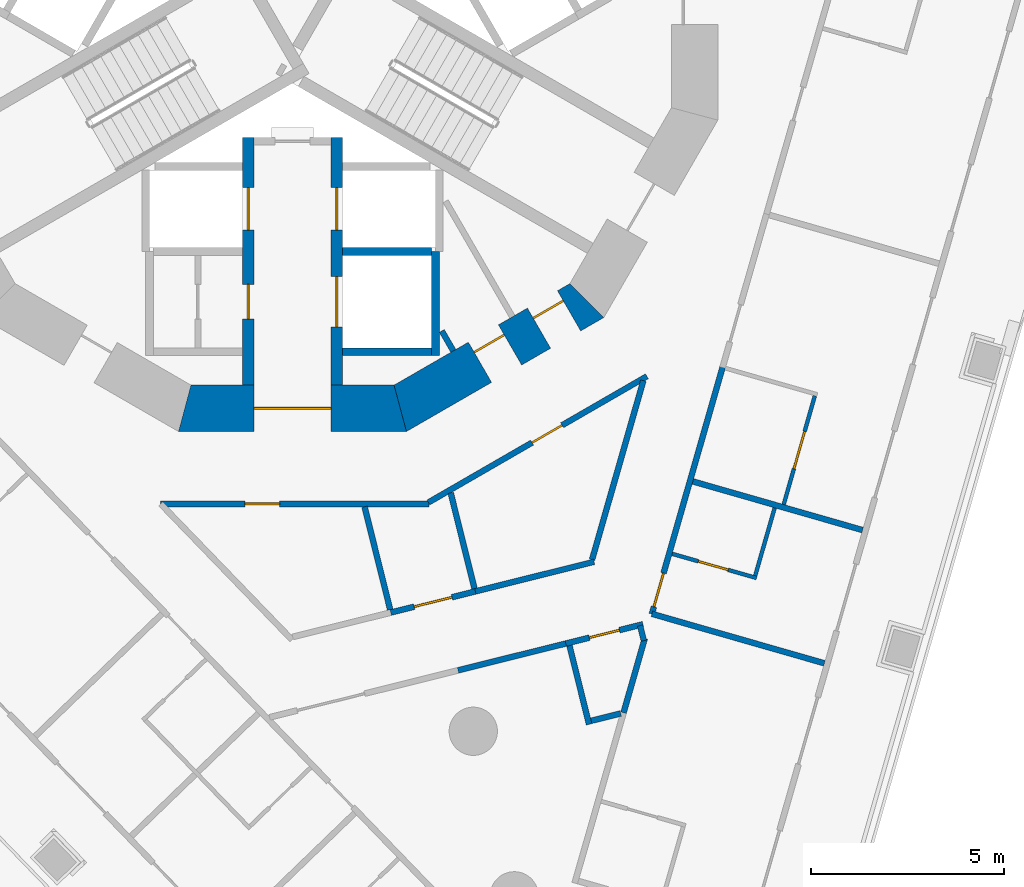
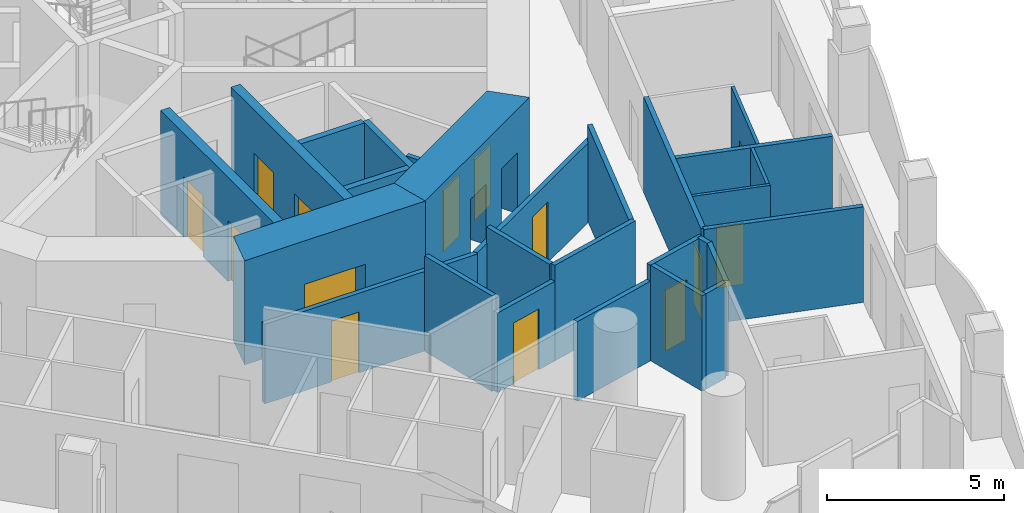
# One storey, part 4 of 19: 27 walls, 14 doors, 14 openings.
"""IFC4 building model written with IfcOpenShell, lengths in metres."""

from ifc_helpers import new_model, si_unit, direction, frame, frame_2d, origin, place, context, subcontext, project, spatial, polyline, rectangle, outline, extrude, material, layer, layer_set, type_object, element, fill, save


model = new_model("IFC4")

# Units and contexts
model_context = context("Model", 3, precision=1e-05, world=origin(), true_north=direction((0.0, 1.0)))
body_context = subcontext(model_context, "Body", "Model", "MODEL_VIEW")
ifc_project = project(units=[si_unit("LENGTHUNIT", "METRE"), si_unit("AREAUNIT", "SQUARE_METRE"), si_unit("VOLUMEUNIT", "CUBIC_METRE"), si_unit("PLANEANGLEUNIT", "RADIAN"), si_unit("MASSUNIT", "GRAM", prefix="KILO")], contexts=[model_context])

# Site, building, storey
site_placement = place(None, origin())
site = spatial("IfcSite", under=ifc_project, at=site_placement, CompositionType="ELEMENT")
building_placement = place(site_placement, origin())
building = spatial("IfcBuilding", under=site, at=building_placement, Name="Trine Commons Tower", CompositionType="ELEMENT")
storey_placement = place(building_placement, frame((0.0, 0.0, 87.300048828125)))
storey = spatial("IfcBuildingStorey", under=building, at=storey_placement, Name="L21", CompositionType="ELEMENT", Elevation=87.300048828125)

# Wall
ifc_material_1 = material(Name="Plasterboard partition on steel studs", Category="steel")
ifc_layer_1 = layer(ifc_material_1, 0.14990234375)
ifc_layer_set_1 = layer_set([ifc_layer_1], Name="Plasterboard partition on steel studs")
wall_type_1 = type_object("IfcWallType", Name="Core room partition 150 mm, EI 60", PredefinedType="PARTITIONING", material=ifc_layer_set_1)
wall_1_placement = place(storey_placement, frame((84.1640625, 53.574951171875, 0.0), z_axis=(0.0, 0.0, 1.0), x_axis=(-0.500665675203, 0.865640734759, 0.0)))
element("IfcWall", 1, at=wall_1_placement, inside=storey, type_object=wall_type_1, Name="Core room partition L21", PredefinedType="PARTITIONING", context=body_context, shape_type="SweptSolid", body=[
    extrude(rectangle(XDim=0.597412109375, YDim=0.14990234375, at=frame_2d((0.298828125, 0.0))), origin(), (0.0, 0.0, 1.0), 3.300048828125),
])

# Wall, opening, door
ifc_material_2 = material(Name="Concrete C70/85", Category="concrete")
ifc_layer_2 = layer(ifc_material_2, 1.199951171875)
ifc_layer_set_2 = layer_set([ifc_layer_2], Name="Concrete C70/85")
wall_type_2 = type_object("IfcWallType", Name="RC shear wall 1200 mm, C70/85", PredefinedType="SHEAR", material=ifc_layer_set_2)
wall_2_placement = place(storey_placement, frame((77.049560546875, 52.08837890625, 0.0), z_axis=(0.0, 0.0, 1.0), x_axis=(1.0, 0.0, 0.0)))
wall_2 = element("IfcWall", 2, at=wall_2_placement, inside=storey, type_object=wall_type_2, Name="Core wall CWC-10 L21", PredefinedType="SHEAR", context=body_context, shape_type="SweptSolid", body=[
    extrude(outline(polyline([(0.0, -0.60009765625), (5.90087890625, -0.60009765625), (5.57958984375, 0.60009765625), (0.321533203125, 0.60009765625), (0.0, -0.60009765625)])), origin(), (0.0, 0.0, 1.0), 3.599853515625),
])
opening_1_placement = place(wall_2_placement, frame((1.950439453125, 0.0, 0.0)))
opening_1 = element("IfcOpeningElement", 3, at=opening_1_placement, cuts=wall_2, Name="Opening K04.08", PredefinedType="OPENING", context=body_context, shape_type="SweptSolid", body=[
    extrude(rectangle(XDim=2.0, YDim=2.10009765625, at=frame_2d((1.0, 1.050048828125))), frame((0.0, 0.60986328125, 0.0), z_axis=(0.0, -1.0, 0.0), x_axis=(1.0, 0.0, 0.0)), (0.0, 0.0, 1.0), 1.219970703125),
])
ifc_material_3 = material(Name="Steel door leaves, fire-rated", Category="steel")
door_type_1 = type_object("IfcDoorType", Name="Lobby door, double leaf 2000 x 2100, FD60", OperationType="DOUBLE_DOOR_SINGLE_SWING", PredefinedType="DOOR", material=ifc_material_3)
door_1_placement = place(opening_1_placement, origin())
door_1 = element("IfcDoor", 4, at=door_1_placement, inside=storey, type_object=door_type_1, Name="Lobby door, Service and firefighting lobby L21", OperationType="DOUBLE_DOOR_SINGLE_SWING", OverallHeight=2.10009765625, OverallWidth=2.0, PredefinedType="DOOR", context=body_context, shape_type="SweptSolid", body=[
    extrude(rectangle(XDim=2.0, YDim=2.10009765625, at=frame_2d((1.0, 1.050048828125))), frame((0.0, 0.02490234375, 0.0), z_axis=(0.0, -1.0, 0.0), x_axis=(1.0, 0.0, 0.0)), (0.0, 0.0, 1.0), 0.050048828125),
])
fill(opening_1, door_1)

# Wall, openings, doors
wall_3_placement = place(storey_placement, frame((82.650390625, 52.008056640625, 0.0), z_axis=(0.0, 0.0, 1.0), x_axis=(0.866037463336, 0.499979111662, 0.0)))
wall_3 = element("IfcWall", 5, at=wall_3_placement, inside=storey, type_object=wall_type_2, Name="Core wall CWC-11 L21", PredefinedType="SHEAR", context=body_context, shape_type="SweptSolid", body=[
    extrude(outline(polyline([(0.0, -0.60009765625), (5.901123046875, -0.60009765625), (5.57958984375, 0.60009765625), (0.321533203125, 0.60009765625), (0.0, -0.60009765625)])), origin(), (0.0, 0.0, 1.0), 3.599853515625),
])
opening_2_placement = place(wall_3_placement, frame((2.543701171875, 0.0, 0.0)))
opening_2 = element("IfcOpeningElement", 6, at=opening_2_placement, cuts=wall_3, Name="Opening K04.16", PredefinedType="OPENING", context=body_context, shape_type="SweptSolid", body=[
    extrude(rectangle(XDim=0.89990234375, YDim=2.10009765625, at=frame_2d((0.449951171875, 1.050048828125))), frame((0.0, 0.60986328125, 0.0), z_axis=(0.0, -1.0, 0.0), x_axis=(1.0, 0.0, 0.0)), (0.0, 0.0, 1.0), 1.219970703125),
])
opening_3_placement = place(wall_3_placement, frame((4.308837890625, 0.0, 0.0)))
opening_3 = element("IfcOpeningElement", 7, at=opening_3_placement, cuts=wall_3, Name="Opening K04.17", PredefinedType="OPENING", context=body_context, shape_type="SweptSolid", body=[
    extrude(rectangle(XDim=0.89990234375, YDim=2.10009765625, at=frame_2d((0.449951171875, 1.050048828125))), frame((0.0, 0.60986328125, 0.0), z_axis=(0.0, -1.0, 0.0), x_axis=(1.0, 0.0, 0.0)), (0.0, 0.0, 1.0), 1.219970703125),
])
ifc_material_4 = material(Name="Steel door leaf, fire-rated", Category="steel")
door_type_2 = type_object("IfcDoorType", Name="Core room door, single leaf 900 x 2100, FD30S", OperationType="SINGLE_SWING_LEFT", PredefinedType="DOOR", material=ifc_material_4)
door_2_placement = place(opening_2_placement, origin())
door_2 = element("IfcDoor", 8, at=door_2_placement, inside=storey, type_object=door_type_2, Name="Door to Linen store L21", OperationType="SINGLE_SWING_RIGHT", OverallHeight=2.10009765625, OverallWidth=0.89990234375, PredefinedType="DOOR", context=body_context, shape_type="SweptSolid", body=[
    extrude(rectangle(XDim=0.89990234375, YDim=2.10009765625, at=frame_2d((0.449951171875, 1.050048828125))), frame((0.0, 0.3251953125, 0.0), z_axis=(0.0, -1.0, 0.0), x_axis=(1.0, 0.0, 0.0)), (0.0, 0.0, 1.0), 0.050048828125),
])
fill(opening_2, door_2)
door_3_placement = place(opening_3_placement, origin())
door_3 = element("IfcDoor", 9, at=door_3_placement, inside=storey, type_object=door_type_2, Name="Door to Pantry L21", OperationType="SINGLE_SWING_RIGHT", OverallHeight=2.10009765625, OverallWidth=0.89990234375, PredefinedType="DOOR", context=body_context, shape_type="SweptSolid", body=[
    extrude(rectangle(XDim=0.89990234375, YDim=2.10009765625, at=frame_2d((0.449951171875, 1.050048828125))), frame((0.0, 0.3251953125, 0.0), z_axis=(0.0, -1.0, 0.0), x_axis=(1.0, 0.0, 0.0)), (0.0, 0.0, 1.0), 0.050048828125),
])
fill(opening_3, door_3)

ifc_layer_3 = layer(ifc_material_2, 0.300048828125)
ifc_layer_set_3 = layer_set([ifc_layer_3], Name="Concrete C70/85")
wall_type_3 = type_object("IfcWallType", Name="RC shear wall 300 mm, C70/85", PredefinedType="SHEAR", material=ifc_layer_set_3)
wall_4_placement = place(storey_placement, frame((78.85009765625, 59.10009765625, 0.0), z_axis=(0.0, 0.0, 1.0), x_axis=(0.0, -1.0, 0.0)))
wall_4 = element("IfcWall", 10, at=wall_4_placement, inside=storey, type_object=wall_type_3, Name="Core cross wall SWA-03 L21", PredefinedType="SHEAR", context=body_context, shape_type="SweptSolid", body=[
    extrude(rectangle(XDim=6.412109375, YDim=0.300048828125, at=frame_2d((3.2060546875, 0.0))), origin(), (0.0, 0.0, 1.0), 3.599853515625),
])
opening_4_placement = place(wall_4_placement, frame((3.800048828125, 0.0, 0.0)))
opening_4 = element("IfcOpeningElement", 11, at=opening_4_placement, cuts=wall_4, Name="Opening K04.10", PredefinedType="OPENING", context=body_context, shape_type="SweptSolid", body=[
    extrude(rectangle(XDim=0.89990234375, YDim=2.10009765625, at=frame_2d((0.449951171875, 1.050048828125))), frame((0.0, 0.159912109375, 0.0), z_axis=(0.0, -1.0, 0.0), x_axis=(1.0, 0.0, 0.0)), (0.0, 0.0, 1.0), 0.320068359375),
])
opening_5_placement = place(wall_4_placement, frame((1.300048828125, 0.0, 0.0)))
opening_5 = element("IfcOpeningElement", 12, at=opening_5_placement, cuts=wall_4, Name="Opening LD10", PredefinedType="OPENING", context=body_context, shape_type="SweptSolid", body=[
    extrude(rectangle(XDim=1.10009765625, YDim=2.10009765625, at=frame_2d((0.550048828125, 1.050048828125))), frame((0.0, 0.159912109375, 0.0), z_axis=(0.0, -1.0, 0.0), x_axis=(1.0, 0.0, 0.0)), (0.0, 0.0, 1.0), 0.320068359375),
])
door_4_placement = place(opening_4_placement, frame((0.89990234375, 0.0, 0.0), z_axis=(0.0, 0.0, 1.0), x_axis=(-1.0, 0.0, 0.0)))
door_4 = element("IfcDoor", 13, at=door_4_placement, inside=storey, type_object=door_type_2, Name="Door to Linen store L21", OperationType="SINGLE_SWING_RIGHT", OverallHeight=2.10009765625, OverallWidth=0.89990234375, PredefinedType="DOOR", context=body_context, shape_type="SweptSolid", body=[
    extrude(rectangle(XDim=0.89990234375, YDim=2.10009765625, at=frame_2d((0.449951171875, 1.050048828125))), frame((0.0, 0.02490234375, 0.0), z_axis=(0.0, -1.0, 0.0), x_axis=(1.0, 0.0, 0.0)), (0.0, 0.0, 1.0), 0.050048828125),
])
fill(opening_4, door_4)
ifc_material_5 = material(Name="Stainless steel sliding door leaves", Category="steel")
door_type_3 = type_object("IfcDoorType", Name="Lift landing door, centre-opening sliding 1100 x 2100, FD90", OperationType="DOUBLE_DOOR_SLIDING", PredefinedType="DOOR", material=ifc_material_5)
door_5_placement = place(opening_5_placement, origin())
door_5 = element("IfcDoor", 14, at=door_5_placement, inside=storey, type_object=door_type_3, Name="Lift landing door FF2 L21", OperationType="DOUBLE_DOOR_SLIDING", OverallHeight=2.10009765625, OverallWidth=1.10009765625, PredefinedType="DOOR", context=body_context, shape_type="SweptSolid", body=[
    extrude(rectangle(XDim=1.10009765625, YDim=2.10009765625, at=frame_2d((0.550048828125, 1.050048828125))), frame((0.0, 0.02490234375, 0.0), z_axis=(0.0, -1.0, 0.0), x_axis=(1.0, 0.0, 0.0)), (0.0, 0.0, 1.0), 0.050048828125),
])
fill(opening_5, door_5)

wall_5_placement = place(storey_placement, frame((81.14990234375, 59.10009765625, 0.0), z_axis=(0.0, 0.0, 1.0), x_axis=(0.0, -1.0, 0.0)))
wall_5 = element("IfcWall", 15, at=wall_5_placement, inside=storey, type_object=wall_type_3, Name="Core cross wall SWA-04 L21", PredefinedType="SHEAR", context=body_context, shape_type="SweptSolid", body=[
    extrude(rectangle(XDim=6.412109375, YDim=0.300048828125, at=frame_2d((3.2060546875, 0.0))), origin(), (0.0, 0.0, 1.0), 3.599853515625),
])
opening_6_placement = place(wall_5_placement, frame((3.60009765625, 0.0, 0.0)))
opening_6 = element("IfcOpeningElement", 16, at=opening_6_placement, cuts=wall_5, Name="Opening LD11", PredefinedType="OPENING", context=body_context, shape_type="SweptSolid", body=[
    extrude(rectangle(XDim=1.300048828125, YDim=2.10009765625, at=frame_2d((0.64990234375, 1.050048828125))), frame((0.0, 0.159912109375, 0.0), z_axis=(0.0, -1.0, 0.0), x_axis=(1.0, 0.0, 0.0)), (0.0, 0.0, 1.0), 0.320068359375),
])
opening_7_placement = place(wall_5_placement, frame((1.300048828125, 0.0, 0.0)))
opening_7 = element("IfcOpeningElement", 17, at=opening_7_placement, cuts=wall_5, Name="Opening LD9", PredefinedType="OPENING", context=body_context, shape_type="SweptSolid", body=[
    extrude(rectangle(XDim=1.10009765625, YDim=2.10009765625, at=frame_2d((0.550048828125, 1.050048828125))), frame((0.0, 0.159912109375, 0.0), z_axis=(0.0, -1.0, 0.0), x_axis=(1.0, 0.0, 0.0)), (0.0, 0.0, 1.0), 0.320068359375),
])
door_6_placement = place(opening_7_placement, origin())
door_6 = element("IfcDoor", 18, at=door_6_placement, inside=storey, type_object=door_type_3, Name="Lift landing door FF1 L21", OperationType="DOUBLE_DOOR_SLIDING", OverallHeight=2.10009765625, OverallWidth=1.10009765625, PredefinedType="DOOR", context=body_context, shape_type="SweptSolid", body=[
    extrude(rectangle(XDim=1.10009765625, YDim=2.10009765625, at=frame_2d((0.550048828125, 1.050048828125))), frame((0.0, 0.02490234375, 0.0), z_axis=(0.0, -1.0, 0.0), x_axis=(1.0, 0.0, 0.0)), (0.0, 0.0, 1.0), 0.050048828125),
])
fill(opening_7, door_6)
door_type_4 = type_object("IfcDoorType", Name="Lift landing door, centre-opening sliding 1300 x 2100, FD90", OperationType="DOUBLE_DOOR_SLIDING", PredefinedType="DOOR", material=ifc_material_5)
door_7_placement = place(opening_6_placement, origin())
door_7 = element("IfcDoor", 19, at=door_7_placement, inside=storey, type_object=door_type_4, Name="Lift landing door G1 L21", OperationType="DOUBLE_DOOR_SLIDING", OverallHeight=2.10009765625, OverallWidth=1.300048828125, PredefinedType="DOOR", context=body_context, shape_type="SweptSolid", body=[
    extrude(rectangle(XDim=1.300048828125, YDim=2.10009765625, at=frame_2d((0.64990234375, 1.050048828125))), frame((0.0, 0.02490234375, 0.0), z_axis=(0.0, -1.0, 0.0), x_axis=(1.0, 0.0, 0.0)), (0.0, 0.0, 1.0), 0.050048828125),
])
fill(opening_6, door_7)

# Walls
ifc_material_6 = material(Name="Fire-rated gypsum shaft wall system")
ifc_layer_4 = layer(ifc_material_6, 0.199951171875)
ifc_layer_set_4 = layer_set([ifc_layer_4], Name="Fire-rated gypsum shaft wall system")
wall_type_4 = type_object("IfcWallType", Name="Shaft wall 200 mm, EI 120", PredefinedType="PARTITIONING", material=ifc_layer_set_4)
for number, where, z_axis, x_axis, name in (
    (20, (81.300048828125, 53.550048828125, 0.0), (0.0, 0.0, 1.0), (1.0, 0.0, 0.0), "Shaft wall L21"),
    (21, (81.300048828125, 56.14990234375, 0.0), (0.0, 0.0, 1.0), (1.0, 0.0, 0.0), "Shaft wall L21"),
):
    element("IfcWall", number, at=place(storey_placement, frame(where, z_axis=z_axis, x_axis=x_axis)), inside=storey, type_object=wall_type_4, Name=name, PredefinedType="PARTITIONING", context=body_context, shape_type="SweptSolid", body=[
        extrude(rectangle(XDim=2.300048828125, YDim=0.199951171875, at=frame_2d((1.14990234375, 0.0))), origin(), (0.0, 0.0, 1.0), 3.300048828125),
    ])
wall_6_placement = place(storey_placement, frame((83.699951171875, 56.14990234375, 0.0), z_axis=(0.0, 0.0, 1.0), x_axis=(0.0, -1.0, 0.0)))
element("IfcWall", 22, at=wall_6_placement, inside=storey, type_object=wall_type_4, Name="Shaft wall L21", PredefinedType="PARTITIONING", context=body_context, shape_type="SweptSolid", body=[
    extrude(rectangle(XDim=2.699951171875, YDim=0.199951171875, at=frame_2d((1.35009765625, 0.0))), origin(), (0.0, 0.0, 1.0), 3.300048828125),
])

# Wall, opening, door
ifc_material_7 = material(Name="Gypsum plasterboard on steel stud", Category="steel")
ifc_layer_5 = layer(ifc_material_7, 0.14990234375)
ifc_layer_set_5 = layer_set([ifc_layer_5], Name="Gypsum plasterboard on steel stud")
wall_type_5 = type_object("IfcWallType", Name="Unit and corridor wall 150 mm, EI 60", PredefinedType="PARTITIONING", material=ifc_layer_set_5)
wall_7_placement = place(storey_placement, frame((76.583984375, 49.613037109375, 0.0), z_axis=(0.0, 0.0, 1.0), x_axis=(1.0, 0.0, 0.0)))
wall_7 = element("IfcWall", 23, at=wall_7_placement, inside=storey, type_object=wall_type_5, Name="Partition 057", PredefinedType="PARTITIONING", context=body_context, shape_type="SweptSolid", body=[
    extrude(rectangle(XDim=6.944091796875, YDim=0.14990234375, at=frame_2d((3.47216796875, 0.0))), origin(), (0.0, 0.0, 1.0), 2.75),
])
opening_8_placement = place(wall_7_placement, frame((2.18359375, 0.0, 0.0)))
opening_8 = element("IfcOpeningElement", 24, at=opening_8_placement, cuts=wall_7, Name="Opening D-3A32", PredefinedType="OPENING", context=body_context, shape_type="SweptSolid", body=[
    extrude(rectangle(XDim=0.89990234375, YDim=2.10009765625, at=frame_2d((0.449951171875, 1.050048828125))), frame((0.0, 0.0849609375, 0.0), z_axis=(0.0, -1.0, 0.0), x_axis=(1.0, 0.0, 0.0)), (0.0, 0.0, 1.0), 0.169921875),
])
ifc_material_8 = material(Name="Timber fire door set", Category="wood")
door_type_5 = type_object("IfcDoorType", Name="Service door 900 x 2100, FD30S", OperationType="NOTDEFINED", PredefinedType="DOOR", material=ifc_material_8)
door_8_placement = place(opening_8_placement, frame((0.89990234375, 0.0, 0.0), z_axis=(0.0, 0.0, 1.0), x_axis=(-1.0, 0.0, 0.0)))
door_8 = element("IfcDoor", 25, at=door_8_placement, inside=storey, type_object=door_type_5, Name="Door D-3A32", OperationType="SINGLE_SWING_RIGHT", OverallHeight=2.10009765625, OverallWidth=0.89990234375, PredefinedType="DOOR", context=body_context, shape_type="SweptSolid", body=[
    extrude(rectangle(XDim=0.89990234375, YDim=2.10009765625, at=frame_2d((0.449951171875, 1.050048828125))), frame((0.0, 0.02490234375, 0.0), z_axis=(0.0, -1.0, 0.0), x_axis=(1.0, 0.0, 0.0)), (0.0, 0.0, 1.0), 0.050048828125),
])
fill(opening_8, door_8)

# Wall
wall_8_placement = place(storey_placement, frame((81.864990234375, 49.540283203125, 0.0), z_axis=(0.0, 0.0, 1.0), x_axis=(0.24199191412, -0.970278266015, 0.0)))
element("IfcWall", 26, at=wall_8_placement, inside=storey, type_object=wall_type_5, Name="Partition 071", PredefinedType="PARTITIONING", context=body_context, shape_type="SweptSolid", body=[
    extrude(rectangle(XDim=2.7470703125, YDim=0.14990234375, at=frame_2d((1.37353515625, 0.0))), origin(), (0.0, 0.0, 1.0), 3.300048828125),
])

# Wall, opening, door
wall_9_placement = place(storey_placement, frame((82.5439453125, 46.801025390625, 0.0), z_axis=(0.0, 0.0, 1.0), x_axis=(0.970237811433, 0.242154061015, 0.0)))
wall_9 = element("IfcWall", 27, at=wall_9_placement, inside=storey, type_object=wall_type_5, Name="Partition 072", PredefinedType="PARTITIONING", context=body_context, shape_type="SweptSolid", body=[
    extrude(rectangle(XDim=2.25830078125, YDim=0.14990234375, at=frame_2d((1.129150390625, 0.0))), origin(), (0.0, 0.0, 1.0), 2.75),
])
opening_9_placement = place(wall_9_placement, frame((0.629150390625, 0.0, 0.0)))
opening_9 = element("IfcOpeningElement", 28, at=opening_9_placement, cuts=wall_9, Name="Opening D-3A35", PredefinedType="OPENING", context=body_context, shape_type="SweptSolid", body=[
    extrude(rectangle(XDim=1.0, YDim=2.10009765625, at=frame_2d((0.5, 1.050048828125))), frame((0.0, 0.0849609375, 0.0), z_axis=(0.0, -1.0, 0.0), x_axis=(1.0, 0.0, 0.0)), (0.0, 0.0, 1.0), 0.169921875),
])
ifc_material_9 = material(Name="Painted timber", Category="wood")
door_type_6 = type_object("IfcDoorType", Name="Toilet door 1000 x 2100, NOT RATED", OperationType="NOTDEFINED", PredefinedType="DOOR", material=ifc_material_9)
door_9_placement = place(opening_9_placement, origin())
door_9 = element("IfcDoor", 29, at=door_9_placement, inside=storey, type_object=door_type_6, Name="Door D-3A35", OperationType="SINGLE_SWING_RIGHT", OverallHeight=2.10009765625, OverallWidth=1.0, PredefinedType="DOOR", context=body_context, shape_type="SweptSolid", body=[
    extrude(rectangle(XDim=1.0, YDim=2.10009765625, at=frame_2d((0.5, 1.050048828125))), frame((0.0, 0.02490234375, 0.0), z_axis=(0.0, -1.0, 0.0), x_axis=(1.0, 0.0, 0.0)), (0.0, 0.0, 1.0), 0.050048828125),
])
fill(opening_9, door_9)

wall_10_placement = place(storey_placement, frame((83.51806640625, 49.650390625, 0.0), z_axis=(0.0, 0.0, 1.0), x_axis=(0.866021893259, 0.50000608036, 0.0)))
wall_10 = element("IfcWall", 30, at=wall_10_placement, inside=storey, type_object=wall_type_5, Name="Partition 073", PredefinedType="PARTITIONING", context=body_context, shape_type="SweptSolid", body=[
    extrude(rectangle(XDim=6.5322265625, YDim=0.14990234375, at=frame_2d((3.26611328125, 0.0))), origin(), (0.0, 0.0, 1.0), 2.75),
])
opening_10_placement = place(wall_10_placement, frame((3.09912109375, 0.0, 0.0)))
opening_10 = element("IfcOpeningElement", 31, at=opening_10_placement, cuts=wall_10, Name="Opening D-3A31", PredefinedType="OPENING", context=body_context, shape_type="SweptSolid", body=[
    extrude(rectangle(XDim=0.89990234375, YDim=2.10009765625, at=frame_2d((0.449951171875, 1.050048828125))), frame((0.0, 0.0849609375, 0.0), z_axis=(0.0, -1.0, 0.0), x_axis=(1.0, 0.0, 0.0)), (0.0, 0.0, 1.0), 0.169921875),
])
door_10_placement = place(opening_10_placement, frame((0.89990234375, 0.0, 0.0), z_axis=(0.0, 0.0, 1.0), x_axis=(-1.0, 0.0, 0.0)))
door_10 = element("IfcDoor", 32, at=door_10_placement, inside=storey, type_object=door_type_5, Name="Door D-3A31", OperationType="SINGLE_SWING_LEFT", OverallHeight=2.10009765625, OverallWidth=0.89990234375, PredefinedType="DOOR", context=body_context, shape_type="SweptSolid", body=[
    extrude(rectangle(XDim=0.89990234375, YDim=2.10009765625, at=frame_2d((0.449951171875, 1.050048828125))), frame((0.0, 0.02490234375, 0.0), z_axis=(0.0, -1.0, 0.0), x_axis=(1.0, 0.0, 0.0)), (0.0, 0.0, 1.0), 0.050048828125),
])
fill(opening_10, door_10)

# Walls
wall_11_placement = place(storey_placement, frame((84.09521484375, 49.900146484375, 0.0), z_axis=(0.0, 0.0, 1.0), x_axis=(0.241659013466, -0.970361232331, 0.0)))
element("IfcWall", 33, at=wall_11_placement, inside=storey, type_object=wall_type_5, Name="Partition 076", PredefinedType="PARTITIONING", context=body_context, shape_type="SweptSolid", body=[
    extrude(rectangle(XDim=2.555908203125, YDim=0.14990234375, at=frame_2d((1.27783203125, 0.0))), origin(), (0.0, 0.0, 1.0), 3.300048828125),
])
wall_12_placement = place(storey_placement, frame((84.2880859375, 45.303955078125, 0.0), z_axis=(0.0, 0.0, 1.0), x_axis=(0.970312264522, 0.241855554658, 0.0)))
element("IfcWall", 34, at=wall_12_placement, inside=storey, type_object=wall_type_5, Name="Partition 077", PredefinedType="PARTITIONING", context=body_context, shape_type="SweptSolid", body=[
    extrude(rectangle(XDim=2.956787109375, YDim=0.14990234375, at=frame_2d((1.478515625, 0.0))), origin(), (0.0, 0.0, 1.0), 2.75),
])
wall_13_placement = place(storey_placement, frame((84.72705078125, 47.345947265625, 0.0), z_axis=(0.0, 0.0, 1.0), x_axis=(0.970300600618, 0.241902344841, 0.0)))
element("IfcWall", 35, at=wall_13_placement, inside=storey, type_object=wall_type_5, Name="Partition 079", PredefinedType="PARTITIONING", context=body_context, shape_type="SweptSolid", body=[
    extrude(rectangle(XDim=3.175048828125, YDim=0.14990234375, at=frame_2d((1.58740234375, 0.0))), origin(), (0.0, 0.0, 1.0), 3.300048828125),
])

# Wall, opening, door
wall_14_placement = place(storey_placement, frame((87.076171875, 45.998779296875, 0.0), z_axis=(0.0, 0.0, 1.0), x_axis=(0.970351527821, 0.241697977766, 0.0)))
wall_14 = element("IfcWall", 36, at=wall_14_placement, inside=storey, type_object=wall_type_5, Name="Partition 083", PredefinedType="PARTITIONING", context=body_context, shape_type="SweptSolid", body=[
    extrude(rectangle(XDim=2.0576171875, YDim=0.14990234375, at=frame_2d((1.02880859375, 0.0))), origin(), (0.0, 0.0, 1.0), 3.300048828125),
])
opening_11_placement = place(wall_14_placement, frame((0.62890625, 0.0, 0.0)))
opening_11 = element("IfcOpeningElement", 37, at=opening_11_placement, cuts=wall_14, Name="Opening D-3A05", PredefinedType="OPENING", context=body_context, shape_type="SweptSolid", body=[
    extrude(rectangle(XDim=0.800048828125, YDim=2.10009765625, at=frame_2d((0.39990234375, 1.050048828125))), frame((0.0, 0.0849609375, 0.0), z_axis=(0.0, -1.0, 0.0), x_axis=(1.0, 0.0, 0.0)), (0.0, 0.0, 1.0), 0.169921875),
])
door_type_7 = type_object("IfcDoorType", Name="Toilet door 800 x 2100, NOT RATED", OperationType="NOTDEFINED", PredefinedType="DOOR", material=ifc_material_9)
door_11_placement = place(opening_11_placement, frame((0.800048828125, 0.0, 0.0), z_axis=(0.0, 0.0, 1.0), x_axis=(-1.0, 0.0, 0.0)))
door_11 = element("IfcDoor", 38, at=door_11_placement, inside=storey, type_object=door_type_7, Name="Door D-3A05", OperationType="SINGLE_SWING_LEFT", OverallHeight=2.10009765625, OverallWidth=0.800048828125, PredefinedType="DOOR", context=body_context, shape_type="SweptSolid", body=[
    extrude(rectangle(XDim=0.800048828125, YDim=2.10009765625, at=frame_2d((0.39990234375, 1.050048828125))), frame((0.0, 0.02490234375, 0.0), z_axis=(0.0, -1.0, 0.0), x_axis=(1.0, 0.0, 0.0)), (0.0, 0.0, 1.0), 0.050048828125),
])
fill(opening_11, door_11)

# Walls
wall_15_placement = place(storey_placement, frame((87.171142578125, 45.9453125, 0.0), z_axis=(0.0, 0.0, 1.0), x_axis=(0.241879199479, -0.970306370617, 0.0)))
element("IfcWall", 39, at=wall_15_placement, inside=storey, type_object=wall_type_5, Name="Partition 084", PredefinedType="PARTITIONING", context=body_context, shape_type="SweptSolid", body=[
    extrude(rectangle(XDim=2.100341796875, YDim=0.14990234375, at=frame_2d((1.05029296875, 0.0))), origin(), (0.0, 0.0, 1.0), 3.300048828125),
])
wall_16_placement = place(storey_placement, frame((87.73388671875, 43.998291015625, 0.0), z_axis=(0.0, 0.0, 1.0), x_axis=(0.970342701531, 0.241733410155, 0.0)))
element("IfcWall", 40, at=wall_16_placement, inside=storey, type_object=wall_type_5, Name="Partition 087", PredefinedType="PARTITIONING", context=body_context, shape_type="SweptSolid", body=[
    extrude(rectangle(XDim=0.787841796875, YDim=0.14990234375, at=frame_2d((0.39404296875, 0.0))), origin(), (0.0, 0.0, 1.0), 3.300048828125),
])
wall_17_placement = place(storey_placement, frame((87.755615234375, 48.168212890625, 0.0), z_axis=(0.0, 0.0, 1.0), x_axis=(0.275589878427, 0.961275308592, 0.0)))
element("IfcWall", 41, at=wall_17_placement, inside=storey, type_object=wall_type_5, Name="Partition 088", PredefinedType="PARTITIONING", context=body_context, shape_type="SweptSolid", body=[
    extrude(rectangle(XDim=4.824462890625, YDim=0.14990234375, at=frame_2d((2.412109375, 0.0))), origin(), (0.0, 0.0, 1.0), 3.300048828125),
])
wall_18_placement = place(storey_placement, frame((88.571044921875, 44.20703125, 0.0), z_axis=(0.0, 0.0, 1.0), x_axis=(0.275350032507, 0.961344038104, 0.0)))
element("IfcWall", 42, at=wall_18_placement, inside=storey, type_object=wall_type_5, Name="Partition 093", PredefinedType="PARTITIONING", context=body_context, shape_type="SweptSolid", body=[
    extrude(rectangle(XDim=1.99951171875, YDim=0.14990234375, at=frame_2d((0.999755859375, 0.0))), origin(), (0.0, 0.0, 1.0), 3.300048828125),
])
wall_19_placement = place(storey_placement, frame((89.0, 46.461669921875, 0.0), z_axis=(0.0, 0.0, 1.0), x_axis=(0.242248462582, -0.970214245606, 0.0)))
element("IfcWall", 43, at=wall_19_placement, inside=storey, type_object=wall_type_5, Name="Partition 095", PredefinedType="PARTITIONING", context=body_context, shape_type="SweptSolid", body=[
    extrude(rectangle(XDim=0.400146484375, YDim=0.14990234375, at=frame_2d((0.2001953125, 0.0))), origin(), (0.0, 0.0, 1.0), 3.300048828125),
])

# Wall, opening, door
wall_20_placement = place(storey_placement, frame((89.303955078125, 46.762939453125, 0.0), z_axis=(0.0, 0.0, 1.0), x_axis=(0.275650305542, 0.96125798257, 0.0)))
wall_20 = element("IfcWall", 44, at=wall_20_placement, inside=storey, type_object=wall_type_5, Name="Partition 096", PredefinedType="PARTITIONING", context=body_context, shape_type="SweptSolid", body=[
    extrude(rectangle(XDim=6.69677734375, YDim=0.14990234375, at=frame_2d((3.348388671875, 0.0))), origin(), (0.0, 0.0, 1.0), 3.300048828125),
])
opening_12_placement = place(wall_20_placement, frame((0.197998046875, 0.0, 0.0)))
opening_12 = element("IfcOpeningElement", 45, at=opening_12_placement, cuts=wall_20, Name="Opening D-3A20", PredefinedType="OPENING", context=body_context, shape_type="SweptSolid", body=[
    extrude(rectangle(XDim=0.89990234375, YDim=2.10009765625, at=frame_2d((0.449951171875, 1.050048828125))), frame((0.0, 0.0849609375, 0.0), z_axis=(0.0, -1.0, 0.0), x_axis=(1.0, 0.0, 0.0)), (0.0, 0.0, 1.0), 0.169921875),
])
door_type_8 = type_object("IfcDoorType", Name="Bedroom door 900 x 2100, FD30S", OperationType="NOTDEFINED", PredefinedType="DOOR", material=ifc_material_8)
door_12_placement = place(opening_12_placement, frame((0.89990234375, 0.0, 0.0), z_axis=(0.0, 0.0, 1.0), x_axis=(-1.0, 0.0, 0.0)))
door_12 = element("IfcDoor", 46, at=door_12_placement, inside=storey, type_object=door_type_8, Name="Door D-3A20", OperationType="SINGLE_SWING_RIGHT", OverallHeight=2.10009765625, OverallWidth=0.89990234375, PredefinedType="DOOR", context=body_context, shape_type="SweptSolid", body=[
    extrude(rectangle(XDim=0.89990234375, YDim=2.10009765625, at=frame_2d((0.449951171875, 1.050048828125))), frame((0.0, 0.02490234375, 0.0), z_axis=(0.0, -1.0, 0.0), x_axis=(1.0, 0.0, 0.0)), (0.0, 0.0, 1.0), 0.050048828125),
])
fill(opening_12, door_12)

# Walls
wall_21_placement = place(storey_placement, frame((89.304931640625, 46.76708984375, 0.0), z_axis=(0.0, 0.0, 1.0), x_axis=(0.961263836782, -0.275629889699, 0.0)))
element("IfcWall", 47, at=wall_21_placement, inside=storey, type_object=wall_type_5, Name="Partition 097", PredefinedType="PARTITIONING", context=body_context, shape_type="SweptSolid", body=[
    extrude(rectangle(XDim=4.6474609375, YDim=0.14990234375, at=frame_2d((2.32373046875, 0.0))), origin(), (0.0, 0.0, 1.0), 3.300048828125),
])
wall_22_placement = place(storey_placement, frame((90.3662109375, 50.1953125, 0.0), z_axis=(0.0, 0.0, 1.0), x_axis=(0.961265617229, -0.275623680283, 0.0)))
element("IfcWall", 48, at=wall_22_placement, inside=storey, type_object=wall_type_5, Name="Partition 104", PredefinedType="PARTITIONING", context=body_context, shape_type="SweptSolid", body=[
    extrude(rectangle(XDim=4.572265625, YDim=0.14990234375, at=frame_2d((2.2861328125, 0.0))), origin(), (0.0, 0.0, 1.0), 3.300048828125),
])

# Wall, opening, door
ifc_layer_6 = layer(ifc_material_7, 0.10009765625)
ifc_layer_set_6 = layer_set([ifc_layer_6], Name="Gypsum plasterboard on steel stud")
wall_type_6 = type_object("IfcWallType", Name="Unit partition 100 mm, no rating", PredefinedType="PARTITIONING", material=ifc_layer_set_6)
wall_23_placement = place(storey_placement, frame((89.828125, 48.3212890625, 0.0), z_axis=(0.0, 0.0, 1.0), x_axis=(0.961252175385, -0.275670555767, 0.0)))
wall_23 = element("IfcWall", 49, at=wall_23_placement, inside=storey, type_object=wall_type_6, Name="Partition 103", PredefinedType="PARTITIONING", context=body_context, shape_type="SweptSolid", body=[
    extrude(rectangle(XDim=2.275146484375, YDim=0.10009765625, at=frame_2d((1.1376953125, 0.0))), origin(), (0.0, 0.0, 1.0), 3.300048828125),
])
opening_13_placement = place(wall_23_placement, frame((0.71240234375, 0.0, 0.0)))
opening_13 = element("IfcOpeningElement", 50, at=opening_13_placement, cuts=wall_23, Name="Opening D-3A49", PredefinedType="OPENING", context=body_context, shape_type="SweptSolid", body=[
    extrude(rectangle(XDim=0.800048828125, YDim=2.10009765625, at=frame_2d((0.39990234375, 1.050048828125))), frame((0.0, 0.06005859375, 0.0), z_axis=(0.0, -1.0, 0.0), x_axis=(1.0, 0.0, 0.0)), (0.0, 0.0, 1.0), 0.1201171875),
])
door_type_9 = type_object("IfcDoorType", Name="Internal door 800 x 2100, NOT RATED", OperationType="NOTDEFINED", PredefinedType="DOOR", material=ifc_material_9)
door_13_placement = place(opening_13_placement, frame((0.800048828125, 0.0, 0.0), z_axis=(0.0, 0.0, 1.0), x_axis=(-1.0, 0.0, 0.0)))
door_13 = element("IfcDoor", 51, at=door_13_placement, inside=storey, type_object=door_type_9, Name="Door D-3A49", OperationType="SINGLE_SWING_RIGHT", OverallHeight=2.10009765625, OverallWidth=0.800048828125, PredefinedType="DOOR", context=body_context, shape_type="SweptSolid", body=[
    extrude(rectangle(XDim=0.800048828125, YDim=2.10009765625, at=frame_2d((0.39990234375, 1.050048828125))), frame((0.0, 0.02490234375, 0.0), z_axis=(0.0, -1.0, 0.0), x_axis=(1.0, 0.0, 0.0)), (0.0, 0.0, 1.0), 0.050048828125),
])
fill(opening_13, door_13)

# Wall
wall_24_placement = place(storey_placement, frame((91.980712890625, 47.756103515625, 0.0), z_axis=(0.0, 0.0, 1.0), x_axis=(0.276010827841, 0.961154526034, 0.0)))
element("IfcWall", 52, at=wall_24_placement, inside=storey, type_object=wall_type_6, Name="Partition 110", PredefinedType="PARTITIONING", context=body_context, shape_type="SweptSolid", body=[
    extrude(rectangle(XDim=1.82470703125, YDim=0.10009765625, at=frame_2d((0.912353515625, 0.0))), origin(), (0.0, 0.0, 1.0), 3.300048828125),
])

# Wall, opening, door
wall_25_placement = place(storey_placement, frame((92.7177734375, 49.59912109375, 0.0), z_axis=(0.0, 0.0, 1.0), x_axis=(0.27568003443, 0.961249457018, 0.0)))
wall_25 = element("IfcWall", 53, at=wall_25_placement, inside=storey, type_object=wall_type_6, Name="Partition 114", PredefinedType="PARTITIONING", context=body_context, shape_type="SweptSolid", body=[
    extrude(rectangle(XDim=2.925048828125, YDim=0.10009765625, at=frame_2d((1.46240234375, 0.0))), origin(), (0.0, 0.0, 1.0), 3.300048828125),
])
opening_14_placement = place(wall_25_placement, frame((0.962646484375, 0.0, 0.0)))
opening_14 = element("IfcOpeningElement", 54, at=opening_14_placement, cuts=wall_25, Name="Opening D-3A48", PredefinedType="OPENING", context=body_context, shape_type="SweptSolid", body=[
    extrude(rectangle(XDim=1.0, YDim=2.10009765625, at=frame_2d((0.5, 1.050048828125))), frame((0.0, 0.06005859375, 0.0), z_axis=(0.0, -1.0, 0.0), x_axis=(1.0, 0.0, 0.0)), (0.0, 0.0, 1.0), 0.1201171875),
])
door_type_10 = type_object("IfcDoorType", Name="Internal door 1000 x 2100, NOT RATED", OperationType="NOTDEFINED", PredefinedType="DOOR", material=ifc_material_9)
door_14_placement = place(opening_14_placement, frame((1.0, 0.0, 0.0), z_axis=(0.0, 0.0, 1.0), x_axis=(-1.0, 0.0, 0.0)))
door_14 = element("IfcDoor", 55, at=door_14_placement, inside=storey, type_object=door_type_10, Name="Door D-3A48", OperationType="SINGLE_SWING_RIGHT", OverallHeight=2.10009765625, OverallWidth=1.0, PredefinedType="DOOR", context=body_context, shape_type="SweptSolid", body=[
    extrude(rectangle(XDim=1.0, YDim=2.10009765625, at=frame_2d((0.5, 1.050048828125))), frame((0.0, 0.02490234375, 0.0), z_axis=(0.0, -1.0, 0.0), x_axis=(1.0, 0.0, 0.0)), (0.0, 0.0, 1.0), 0.050048828125),
])
fill(opening_14, door_14)

save(model, "model.ifc")
